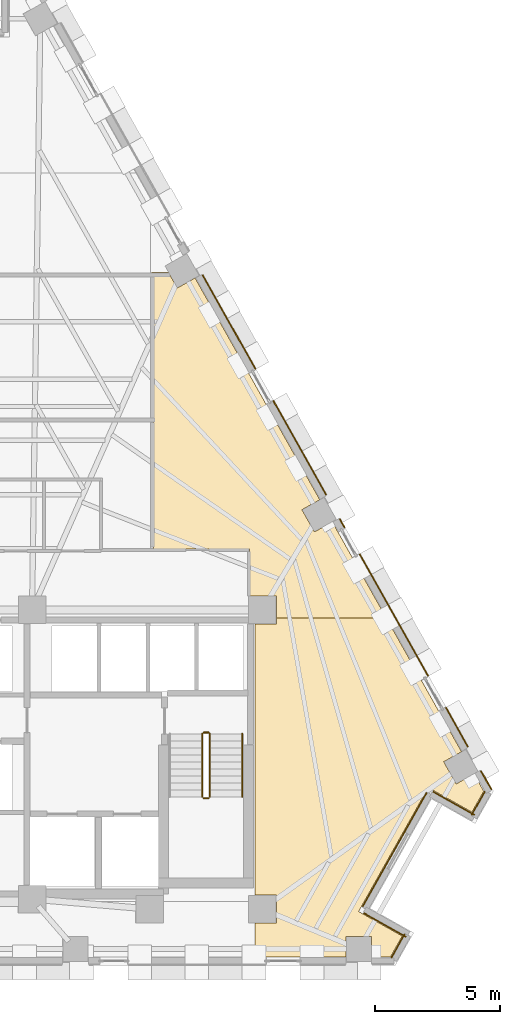
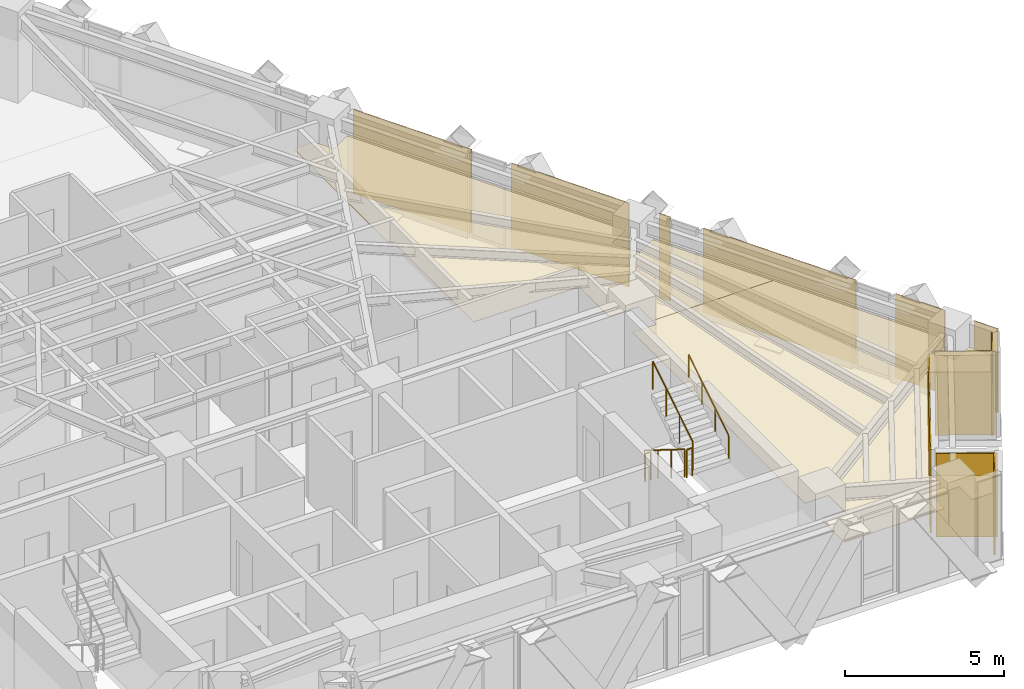
# One storey, part 12 of 13: 13 coverings, 5 railings.
"""IFC4 building model written with IfcOpenShell, lengths in metres."""

from ifc_helpers import new_model, si_unit, direction, frame, origin, origin_2d, place, context, subcontext, project, spatial, polyline, circle, outline, extrude, material, layer, layer_set, type_object, element, save


model = new_model("IFC4")

# Units and contexts
model_context = context("Model", 3, precision=1e-05, world=origin(), true_north=direction((0.0, 1.0)))
body_context = subcontext(model_context, "Body", "Model", "MODEL_VIEW")
ifc_project = project(units=[si_unit("LENGTHUNIT", "METRE"), si_unit("AREAUNIT", "SQUARE_METRE"), si_unit("VOLUMEUNIT", "CUBIC_METRE"), si_unit("PLANEANGLEUNIT", "RADIAN"), si_unit("MASSUNIT", "GRAM", prefix="KILO")], contexts=[model_context])

# Site, building, storey
site_placement = place(None, origin())
site = spatial("IfcSite", under=ifc_project, at=site_placement, CompositionType="ELEMENT")
building_placement = place(site_placement, origin())
building = spatial("IfcBuilding", under=site, at=building_placement, Name="Quenlor Broadcast Tower", CompositionType="ELEMENT")
storey_placement = place(building_placement, frame((0.0, 0.0, 151.0)))
storey = spatial("IfcBuildingStorey", under=building, at=storey_placement, Name="L41", CompositionType="ELEMENT", Elevation=151.0)

# Coverings
ifc_material_1 = material(Name="Acoustic Mineral Fibre Board", Category="other")
ifc_layer_1 = layer(ifc_material_1, 0.02490234375)
ifc_layer_set_1 = layer_set([ifc_layer_1], Name="Acoustic Perforated Mineral Tile Ceiling 25")
covering_type_1 = type_object("IfcCoveringType", Name="Acoustic Perforated Mineral Tile Ceiling 25", PredefinedType="CEILING", material=ifc_layer_set_1)
covering_1_placement = place(storey_placement, frame((0.0, 0.0, 2.375)))
element("IfcCovering", 1, at=covering_1_placement, inside=storey, type_object=covering_type_1, Name="L41 Acoustic Ceiling L41-35-2", PredefinedType="CEILING", context=body_context, shape_type="SweptSolid", body=[
    extrude(outline(polyline([(13.508056640625, -4.241943359375), (12.43994140625, -4.241943359375), (12.43994140625, -2.3701171875), (8.60009765625, -2.3701171875), (8.60009765625, 2.7099609375), (8.57080078125, 2.712890625), (8.54248046875, 2.721435546875), (8.5166015625, 2.7353515625), (8.493896484375, 2.75390625), (8.475341796875, 2.776611328125), (8.46142578125, 2.802490234375), (8.452880859375, 2.830810546875), (8.449951171875, 2.860107421875), (8.449951171875, 8.5400390625), (8.452880859375, 8.5693359375), (8.46142578125, 8.597412109375), (8.475341796875, 8.623291015625), (8.493896484375, 8.64599609375), (8.5166015625, 8.664794921875), (8.54248046875, 8.6787109375), (8.57080078125, 8.68701171875), (8.60009765625, 8.68994140625), (9.19580078125, 8.68994140625), (9.54931640625, 8.0615234375), (10.26220703125, 8.46240234375), (11.85791015625, 5.62548828125), (13.487060546875, 2.7294921875), (15.2451171875, -0.39599609375), (14.5322265625, -0.797119140625), (15.0302734375, -1.6826171875), (15.7431640625, -1.281494140625), (17.90234375, -5.1201171875), (13.508056640625, -5.1201171875), (13.508056640625, -4.241943359375)])), origin(), (0.0, 0.0, 1.0), 0.02490234375),
])
covering_2_placement = place(storey_placement, frame((0.0, 0.0, 2.375)))
element("IfcCovering", 2, at=covering_2_placement, inside=storey, type_object=covering_type_1, Name="L41 Acoustic Ceiling L41-35-6", PredefinedType="CEILING", context=body_context, shape_type="SweptSolid", body=[
    extrude(outline(polyline([(13.508056640625, -17.30810546875), (13.508056640625, -16.19189453125), (12.64990234375, -16.19189453125), (12.64990234375, -5.35791015625), (13.508056640625, -5.35791015625), (13.508056640625, -5.1201171875), (17.90234375, -5.1201171875), (20.90869140625, -10.46484375), (20.19580078125, -10.86572265625), (20.694091796875, -11.751220703125), (21.406982421875, -11.350341796875), (21.794921875, -12.0400390625), (21.323486328125, -12.878173828125), (19.580322265625, -11.8974609375), (16.795654296875, -16.847900390625), (18.538818359375, -17.82861328125), (18.071044921875, -18.659912109375), (17.31640625, -18.659912109375), (17.31640625, -17.842041015625), (16.30029296875, -17.842041015625), (16.30029296875, -18.659912109375), (12.64990234375, -18.659912109375), (12.64990234375, -17.30810546875), (13.508056640625, -17.30810546875)])), origin(), (0.0, 0.0, 1.0), 0.02490234375),
])
ifc_material_2 = material(Name="Architectural Terracotta Ceramic", Category="masonry")
ifc_layer_2 = layer(ifc_material_2, 0.044921875)
ifc_layer_set_2 = layer_set([ifc_layer_2], Name="Fluted Terracotta Rainscreen Cladding Panel")
covering_type_2 = type_object("IfcCoveringType", Name="Fluted Terracotta Rainscreen Cladding Panel", PredefinedType="CLADDING", material=ifc_layer_set_2)
covering_3_placement = place(storey_placement, frame((0.0, 0.0, 0.02001953125)))
element("IfcCovering", 3, at=covering_3_placement, inside=storey, type_object=covering_type_2, Name="L41 Terracotta Rainscreen Cladding L41-SHD-NES1", PredefinedType="CLADDING", context=body_context, shape_type="SweptSolid", body=[
    extrude(outline(polyline([(21.66162109375, -11.23779296875), (22.0859375, -11.992431640625), (22.125244140625, -11.970458984375), (21.70068359375, -11.2158203125), (21.66162109375, -11.23779296875)])), origin(), (0.0, 0.0, 1.0), 3.2099609375),
])
covering_4_placement = place(storey_placement, frame((0.0, 0.0, 0.02001953125)))
element("IfcCovering", 4, at=covering_4_placement, inside=storey, type_object=covering_type_2, Name="L41 Terracotta Rainscreen Cladding L41-NEC-SP1", PredefinedType="CLADDING", context=body_context, shape_type="SweptSolid", body=[
    extrude(outline(polyline([(16.025146484375, -1.1767578125), (16.22119140625, -1.525390625), (16.260498046875, -1.50341796875), (16.064453125, -1.15478515625), (16.025146484375, -1.1767578125)])), origin(), (0.0, 0.0, 1.0), 3.2099609375),
])
covering_5_placement = place(storey_placement, frame((0.0, 0.0, 0.02001953125)))
element("IfcCovering", 5, at=covering_5_placement, inside=storey, type_object=covering_type_2, Name="L41 Terracotta Rainscreen Cladding L41-NEC-SP2", PredefinedType="CLADDING", context=body_context, shape_type="SweptSolid", body=[
    extrude(outline(polyline([(16.81591796875, -2.582763671875), (19.55322265625, -7.44921875), (19.592529296875, -7.42724609375), (16.855224609375, -2.560791015625), (16.81591796875, -2.582763671875)])), origin(), (0.0, 0.0, 1.0), 3.2099609375),
])
covering_6_placement = place(storey_placement, frame((0.0, 0.0, 0.02001953125)))
element("IfcCovering", 6, at=covering_6_placement, inside=storey, type_object=covering_type_2, Name="L41 Terracotta Rainscreen Cladding L41-NEC-SP3", PredefinedType="CLADDING", context=body_context, shape_type="SweptSolid", body=[
    extrude(outline(polyline([(20.26416015625, -8.712646484375), (21.14453125, -10.278076171875), (21.183837890625, -10.256103515625), (20.30322265625, -8.690673828125), (20.26416015625, -8.712646484375)])), origin(), (0.0, 0.0, 1.0), 3.2099609375),
])
covering_7_placement = place(storey_placement, frame((0.0, 0.0, 0.02001953125)))
element("IfcCovering", 7, at=covering_7_placement, inside=storey, type_object=covering_type_2, Name="L41 Terracotta Rainscreen Cladding L41-NE-SP1", PredefinedType="CLADDING", context=body_context, shape_type="SweptSolid", body=[
    extrude(outline(polyline([(10.541748046875, 8.571533203125), (12.656982421875, 4.810791015625), (12.6962890625, 4.832763671875), (10.580810546875, 8.593505859375), (10.541748046875, 8.571533203125)])), origin(), (0.0, 0.0, 1.0), 3.2099609375),
])
covering_8_placement = place(storey_placement, frame((0.0, 0.0, 0.02001953125)))
element("IfcCovering", 8, at=covering_8_placement, inside=storey, type_object=covering_type_2, Name="L41 Terracotta Rainscreen Cladding L41-NE-SP2", PredefinedType="CLADDING", context=body_context, shape_type="SweptSolid", body=[
    extrude(outline(polyline([(13.367919921875, 3.547119140625), (15.4833984375, -0.213623046875), (15.522705078125, -0.191650390625), (13.4072265625, 3.569091796875), (13.367919921875, 3.547119140625)])), origin(), (0.0, 0.0, 1.0), 3.2099609375),
])
covering_9_placement = place(storey_placement, frame((0.0, 0.0, 0.02001953125)))
element("IfcCovering", 9, at=covering_9_placement, inside=storey, type_object=covering_type_2, Name="L41 Terracotta Rainscreen Cladding L41-CNR-01", PredefinedType="CLADDING", context=body_context, shape_type="SweptSolid", body=[
    extrude(outline(polyline([(18.702880859375, -17.8427734375), (17.011962890625, -16.8916015625), (16.989990234375, -16.930908203125), (18.680908203125, -17.882080078125), (18.702880859375, -17.8427734375)])), origin(), (0.0, 0.0, 1.0), 3.2099609375),
])
covering_10_placement = place(storey_placement, frame((0.0, 0.0, 0.02001953125)))
element("IfcCovering", 10, at=covering_10_placement, inside=storey, type_object=covering_type_2, Name="L41 Terracotta Rainscreen Cladding L41-CNR-02", PredefinedType="CLADDING", context=body_context, shape_type="SweptSolid", body=[
    extrude(outline(polyline([(16.9775390625, -16.663330078125), (19.53662109375, -12.11376953125), (19.49755859375, -12.091796875), (16.938232421875, -16.641357421875), (16.9775390625, -16.663330078125)])), origin(), (0.0, 0.0, 1.0), 3.2099609375),
])
covering_11_placement = place(storey_placement, frame((0.0, 0.0, 0.02001953125)))
element("IfcCovering", 11, at=covering_11_placement, inside=storey, type_object=covering_type_2, Name="L41 Terracotta Rainscreen Cladding L41-CNR-03", PredefinedType="CLADDING", context=body_context, shape_type="SweptSolid", body=[
    extrude(outline(polyline([(19.764892578125, -12.079345703125), (21.4208984375, -13.010986328125), (21.443115234375, -12.9716796875), (19.787109375, -12.0400390625), (19.764892578125, -12.079345703125)])), origin(), (0.0, 0.0, 1.0), 3.2099609375),
])
covering_12_placement = place(storey_placement, frame((0.0, 0.0, 0.02001953125)))
element("IfcCovering", 12, at=covering_12_placement, inside=storey, type_object=covering_type_2, Name="L41 Terracotta Rainscreen Cladding L41-CNR-04", PredefinedType="CLADDING", context=body_context, shape_type="SweptSolid", body=[
    extrude(outline(polyline([(21.328857421875, -13.007080078125), (21.859619140625, -12.0634765625), (21.820556640625, -12.04150390625), (21.289794921875, -12.985107421875), (21.328857421875, -13.007080078125)])), origin(), (0.0, 0.0, 1.0), 3.2099609375),
])
covering_13_placement = place(storey_placement, frame((0.0, 0.0, 0.02001953125)))
element("IfcCovering", 13, at=covering_13_placement, inside=storey, type_object=covering_type_2, Name="L41 Terracotta Rainscreen Cladding L41-CNR-18", PredefinedType="CLADDING", context=body_context, shape_type="SweptSolid", body=[
    extrude(outline(polyline([(18.122802734375, -18.70654296875), (18.652099609375, -17.76611328125), (18.61279296875, -17.743896484375), (18.083740234375, -18.6845703125), (18.122802734375, -18.70654296875)])), origin(), (0.0, 0.0, 1.0), 3.2099609375),
])

# Railings
ifc_material_3 = material(Name="Anodised Aluminium", Category="aluminium")
railing_type_1 = type_object("IfcRailingType", Name="Stainless Aluminium Wall Handrail 900", PredefinedType="HANDRAIL", material=ifc_material_3)
railing_1_placement = place(storey_placement, frame((12.14990234375, -12.27001953125, 1.925048828125)))
element("IfcRailing", 14, at=railing_1_placement, inside=storey, type_object=railing_type_1, Name="L41 ST-2 stair handrail 2", PredefinedType="HANDRAIL", context=body_context, shape_type="SweptSolid", body=[
    extrude(circle(Radius=0.02392578125, at=origin_2d()), frame((0.0, 0.0, 0.8759765625), z_axis=(0.0, 0.848007534815, 0.529984170421), x_axis=(-1.0, 0.0, 0.0)), (0.0, 0.0, 1.0), 2.9716796875),
    extrude(circle(Radius=0.02099609375, at=origin_2d()), origin(), (0.0, 0.0, 1.0), 0.851806640625),
    extrude(circle(Radius=0.02099609375, at=origin_2d()), frame((0.0, 0.840087890625, 0.52490234375)), (0.0, 0.0, 1.0), 0.851806640625),
    extrude(circle(Radius=0.02099609375, at=origin_2d()), frame((0.0, 1.679931640625, 1.050048828125)), (0.0, 0.0, 1.0), 0.851806640625),
    extrude(circle(Radius=0.02099609375, at=origin_2d()), frame((0.0, 2.52001953125, 1.574951171875)), (0.0, 0.0, 1.0), 0.851806640625),
])
ifc_material_4 = material(Name="Steel S355", Category="steel")
railing_type_2 = type_object("IfcRailingType", Name="Tubular Steel S355 Stair Guardrail 1100", PredefinedType="BALUSTRADE", material=ifc_material_4)
railing_2_placement = place(storey_placement, frame((10.550048828125, -9.75, 0.175048828125)))
element("IfcRailing", 15, at=railing_2_placement, inside=storey, type_object=railing_type_2, Name="L41 ST-2 stair guard 1", PredefinedType="BALUSTRADE", context=body_context, shape_type="SweptSolid", body=[
    extrude(circle(Radius=0.02392578125, at=origin_2d()), frame((0.0, 0.0, 1.076171875), z_axis=(0.0, -0.848007534815, 0.529984170421), x_axis=(1.0, 0.0, 0.0)), (0.0, 0.0, 1.0), 2.9716796875),
    extrude(circle(Radius=0.02099609375, at=origin_2d()), origin(), (0.0, 0.0, 1.0), 1.052001953125),
    extrude(circle(Radius=0.02099609375, at=origin_2d()), frame((0.0, -0.840087890625, 0.52490234375)), (0.0, 0.0, 1.0), 1.052001953125),
    extrude(circle(Radius=0.02099609375, at=origin_2d()), frame((0.0, -1.679931640625, 1.050048828125)), (0.0, 0.0, 1.0), 1.052001953125),
    extrude(circle(Radius=0.02099609375, at=origin_2d()), frame((0.0, -2.52001953125, 1.574951171875)), (0.0, 0.0, 1.0), 1.052001953125),
])
railing_3_placement = place(storey_placement, frame((10.60009765625, -12.320068359375, 1.75)))
element("IfcRailing", 16, at=railing_3_placement, inside=storey, type_object=railing_type_2, Name="L41 ST-2 stair guard 2", PredefinedType="BALUSTRADE", context=body_context, shape_type="SweptSolid", body=[
    extrude(circle(Radius=0.02392578125, at=origin_2d()), frame((0.0, 0.0, 1.076171875), z_axis=(1.0, 0.0, 0.0), x_axis=(0.0, 1.0, 0.0)), (0.0, 0.0, 1.0), 0.199951171875),
    extrude(circle(Radius=0.02099609375, at=origin_2d()), origin(), (0.0, 0.0, 1.0), 1.052001953125),
    extrude(circle(Radius=0.02099609375, at=origin_2d()), frame((0.199951171875, 0.0, 0.0)), (0.0, 0.0, 1.0), 1.052001953125),
])
railing_4_placement = place(storey_placement, frame((10.85009765625, -12.27001953125, 1.925048828125)))
element("IfcRailing", 17, at=railing_4_placement, inside=storey, type_object=railing_type_2, Name="L41 ST-2 stair guard 3", PredefinedType="BALUSTRADE", context=body_context, shape_type="SweptSolid", body=[
    extrude(circle(Radius=0.02392578125, at=origin_2d()), frame((0.0, 0.0, 1.076171875), z_axis=(0.0, 0.848007534815, 0.529984170421), x_axis=(-1.0, 0.0, 0.0)), (0.0, 0.0, 1.0), 2.9716796875),
    extrude(circle(Radius=0.02099609375, at=origin_2d()), origin(), (0.0, 0.0, 1.0), 1.052001953125),
    extrude(circle(Radius=0.02099609375, at=origin_2d()), frame((0.0, 0.840087890625, 0.52490234375)), (0.0, 0.0, 1.0), 1.052001953125),
    extrude(circle(Radius=0.02099609375, at=origin_2d()), frame((0.0, 1.679931640625, 1.050048828125)), (0.0, 0.0, 1.0), 1.052001953125),
    extrude(circle(Radius=0.02099609375, at=origin_2d()), frame((0.0, 2.52001953125, 1.574951171875)), (0.0, 0.0, 1.0), 1.052001953125),
])
railing_5_placement = place(storey_placement, frame((10.60009765625, -9.699951171875, 0.0)))
element("IfcRailing", 18, at=railing_5_placement, inside=storey, type_object=railing_type_2, Name="L41 ST-2 stair guard 4", PredefinedType="BALUSTRADE", context=body_context, shape_type="SweptSolid", body=[
    extrude(circle(Radius=0.02392578125, at=origin_2d()), frame((0.0, 0.0, 1.076171875), z_axis=(1.0, 0.0, 0.0), x_axis=(0.0, 1.0, 0.0)), (0.0, 0.0, 1.0), 0.199951171875),
    extrude(circle(Radius=0.02099609375, at=origin_2d()), origin(), (0.0, 0.0, 1.0), 1.052001953125),
    extrude(circle(Radius=0.02099609375, at=origin_2d()), frame((0.199951171875, 0.0, 0.0)), (0.0, 0.0, 1.0), 1.052001953125),
])

save(model, "model.ifc")
